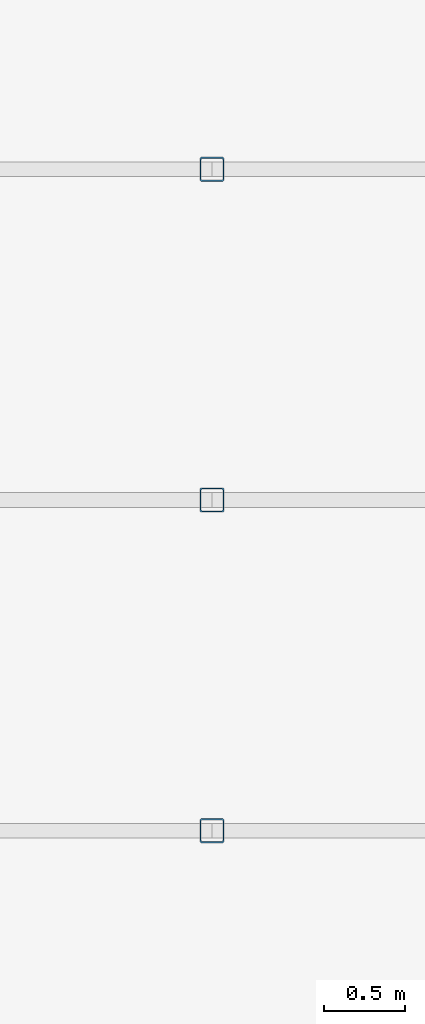
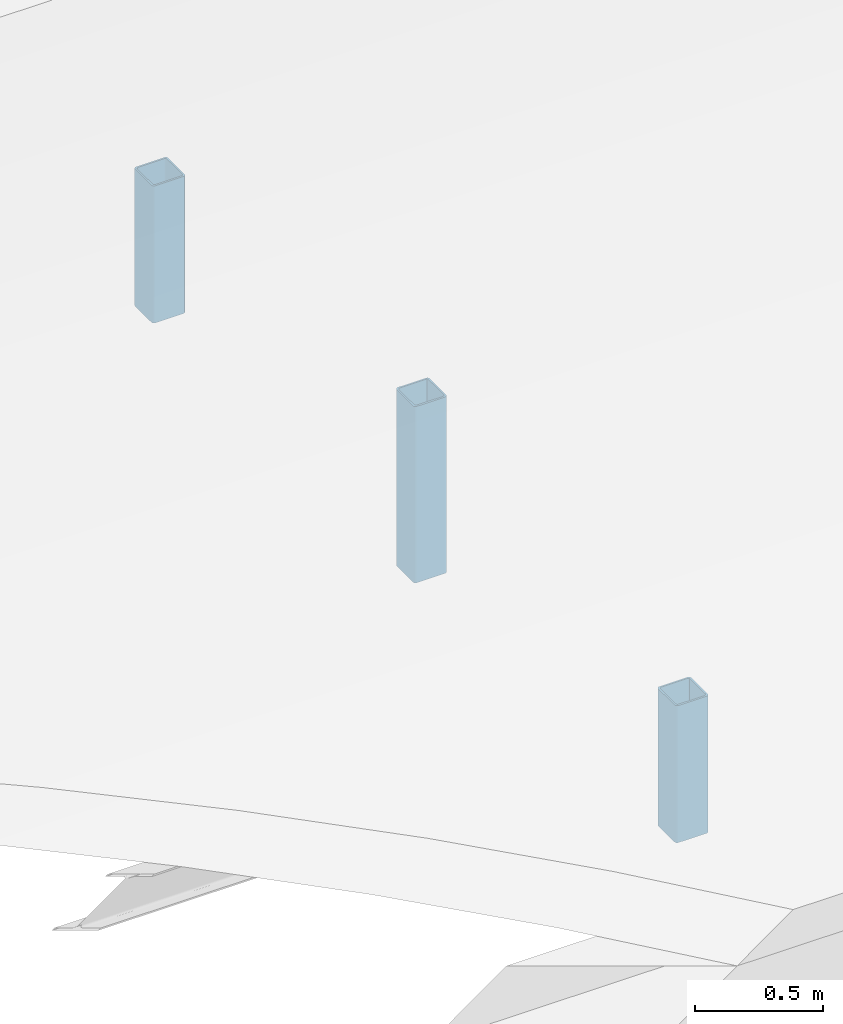
# One storey, part 29 of 46: 3 members.
"""IFC4 building model written with IfcOpenShell, lengths in metres."""

from ifc_helpers import new_model, si_unit, direction, frame, origin, origin_2d, place, context, subcontext, project, spatial, hollow_rectangle, extrude, material, material_profile, profile_set, type_object, element, save


model = new_model("IFC4")

# Units and contexts
model_context = context("Model", 3, precision=1e-05, world=origin(), true_north=direction((0.0, 1.0)))
body_context = subcontext(model_context, "Body", "Model", "MODEL_VIEW")
ifc_project = project(units=[si_unit("LENGTHUNIT", "METRE"), si_unit("AREAUNIT", "SQUARE_METRE"), si_unit("VOLUMEUNIT", "CUBIC_METRE"), si_unit("PLANEANGLEUNIT", "RADIAN"), si_unit("MASSUNIT", "GRAM", prefix="KILO")], contexts=[model_context])

# Site, building, storey
site_placement = place(None, origin())
site = spatial("IfcSite", under=ifc_project, at=site_placement, CompositionType="ELEMENT")
building_placement = place(site_placement, origin())
building = spatial("IfcBuilding", under=site, at=building_placement, Name="Shalkamar Park Central Library", CompositionType="ELEMENT")
storey_placement = place(building_placement, frame((0.0, 0.0, 20.39990234375)))
storey = spatial("IfcBuildingStorey", under=building, at=storey_placement, Name="L05", CompositionType="ELEMENT", Elevation=20.39990234375)

# Members
ifc_material = material(Name="Steel S355", Category="steel")
ifc_material_profile = material_profile(ifc_material, hollow_rectangle(XDim=0.14990234375, YDim=0.14990234375, WallThickness=0.008056640625, InnerFilletRadius=0.008056640625, OuterFilletRadius=0.011962890625, at=origin_2d()), Name="SHS 150x150x8")
ifc_profile_set = profile_set([ifc_material_profile], Name="Steel S355")
member_type = type_object("IfcMemberType", Name="Diagonal Brace SHS150", PredefinedType="BRACE", material=ifc_profile_set)
member_1_placement = place(storey_placement, frame((255.0, 249.760009765625, -0.35986328125), z_axis=(0.0, 0.0, 1.0), x_axis=(1.0, 0.0, 0.0)))
element("IfcMember", 1, at=member_1_placement, inside=storey, type_object=member_type, Name="Vault Arch Post BV-L04-S1-18.1", PredefinedType="BRACE", context=body_context, shape_type="SweptSolid", body=[
    extrude(hollow_rectangle(XDim=0.14990234375, YDim=0.14990234375, WallThickness=0.008056640625, InnerFilletRadius=0.008056640625, OuterFilletRadius=0.011962890625, at=origin_2d()), origin(), (0.0, 0.0, 1.0), 0.65283203125),
])
member_2_placement = place(storey_placement, frame((255.0, 251.800048828125, -0.35986328125), z_axis=(0.0, 0.0, 1.0), x_axis=(1.0, 0.0, 0.0)))
element("IfcMember", 2, at=member_2_placement, inside=storey, type_object=member_type, Name="Vault Arch Post BV-L04-S1-18.2", PredefinedType="BRACE", context=body_context, shape_type="SweptSolid", body=[
    extrude(hollow_rectangle(XDim=0.14990234375, YDim=0.14990234375, WallThickness=0.008056640625, InnerFilletRadius=0.008056640625, OuterFilletRadius=0.011962890625, at=origin_2d()), origin(), (0.0, 0.0, 1.0), 0.83984375),
])
member_3_placement = place(storey_placement, frame((255.0, 253.840087890625, -0.35986328125), z_axis=(0.0, 0.0, 1.0), x_axis=(1.0, 0.0, 0.0)))
element("IfcMember", 3, at=member_3_placement, inside=storey, type_object=member_type, Name="Vault Arch Post BV-L04-S1-18.3", PredefinedType="BRACE", context=body_context, shape_type="SweptSolid", body=[
    extrude(hollow_rectangle(XDim=0.14990234375, YDim=0.14990234375, WallThickness=0.008056640625, InnerFilletRadius=0.008056640625, OuterFilletRadius=0.011962890625, at=origin_2d()), origin(), (0.0, 0.0, 1.0), 0.65283203125),
])

save(model, "model.ifc")
